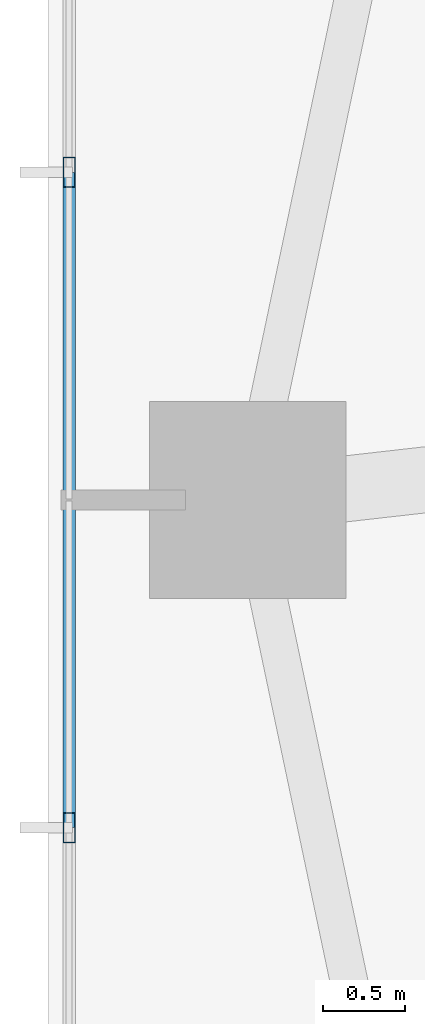
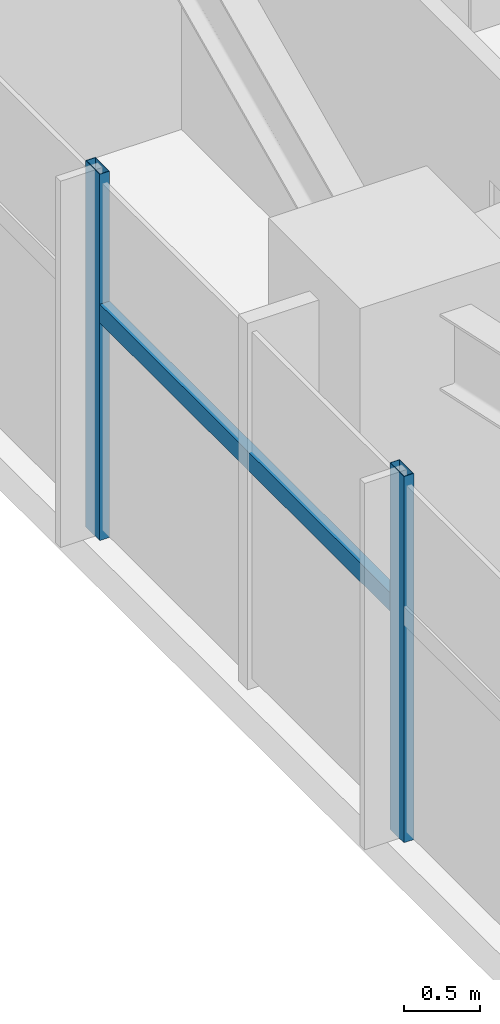
# One storey, part 4 of 25: 3 members, 1 element without a shape of its own.
"""IFC4 building model written with IfcOpenShell, lengths in metres."""

from ifc_helpers import new_model, si_unit, direction, frame, origin, origin_2d, place, context, subcontext, project, spatial, hollow_rectangle, extrude, source, transform, mapped, material, material_profile, profile_set, type_object, type_shapes, element, aggregate, save


model = new_model("IFC4")

# Units and contexts
model_context = context("Model", 3, precision=1e-05, world=origin(), true_north=direction((0.0, 1.0)))
body_context = subcontext(model_context, "Body", "Model", "MODEL_VIEW")
ifc_project = project(units=[si_unit("LENGTHUNIT", "METRE"), si_unit("AREAUNIT", "SQUARE_METRE"), si_unit("VOLUMEUNIT", "CUBIC_METRE"), si_unit("PLANEANGLEUNIT", "RADIAN"), si_unit("MASSUNIT", "GRAM", prefix="KILO")], contexts=[model_context])

# Site, building, storey
site_placement = place(None, origin())
site = spatial("IfcSite", under=ifc_project, at=site_placement, CompositionType="ELEMENT")
building_placement = place(site_placement, origin())
building = spatial("IfcBuilding", under=site, at=building_placement, Name="Astriad Promenade Condominiums", CompositionType="ELEMENT")
storey_placement = place(building_placement, frame((0.0, 0.0, 26.199951171875)))
storey = spatial("IfcBuildingStorey", under=building, at=storey_placement, Name="L06", CompositionType="ELEMENT", Elevation=26.199951171875)

# Curtain wall, members
ifc_material_1 = material(Name="Anodised aluminium Black Dark Glass Unitised", Category="aluminium")
curtain_wall_type = type_object("IfcCurtainWallType", Name="CW-B1-DARK", PredefinedType="USERDEFINED", material=ifc_material_1)
curtain_wall_placement = place(storey_placement, origin())
curtain_wall = element("IfcCurtainWall", 1, at=curtain_wall_placement, inside=storey, type_object=curtain_wall_type, Name="CW-L06-W", ObjectType="UNITISED_CURTAIN_WALL", PredefinedType="USERDEFINED")
ifc_material_2 = material(Name="Anodised aluminium 6063-T6 Black", Category="aluminium")
ifc_material_profile_1 = material_profile(ifc_material_2, hollow_rectangle(XDim=0.074951171875, YDim=0.18505859375, WallThickness=0.00439453125, at=origin_2d()), Name="ALU-MUL-75X185")
ifc_profile_set_1 = profile_set([ifc_material_profile_1], Name="Anodised aluminium 6063-T6 Black")
member_type_1 = type_object("IfcMemberType", Name="MUL-ALU-MUL-75X185", PredefinedType="MULLION", material=ifc_profile_set_1)
shared_shape_1 = source(origin(), body_context, "Body", "SweptSolid", [
    extrude(hollow_rectangle(XDim=0.074951171875, YDim=0.18505859375, WallThickness=0.00439453125, at=origin_2d()), origin(), (0.0, 0.0, 1.0), 2.93994140625),
])
type_shapes(member_type_1, [shared_shape_1])
member_1_placement = place(storey_placement, frame((5.929931640625, 13.199951171875, 0.0), z_axis=(0.0, 0.0, 1.0), x_axis=(1.0, 0.0, 0.0)))
member_1 = element("IfcMember", 2, at=member_1_placement, type_object=member_type_1, Name="CW-L06-W-MUL-02", PredefinedType="MULLION", context=body_context, shape_type="MappedRepresentation", body=[
    mapped(shared_shape_1, transform((0.0, 0.0, 0.0), scale=1.0)),
])
member_2_placement = place(storey_placement, frame((5.929931640625, 17.199951171875, 0.0), z_axis=(0.0, 0.0, 1.0), x_axis=(1.0, 0.0, 0.0)))
member_2 = element("IfcMember", 3, at=member_2_placement, type_object=member_type_1, Name="CW-L06-W-MUL-03", PredefinedType="MULLION", context=body_context, shape_type="MappedRepresentation", body=[
    mapped(shared_shape_1, transform((0.0, 0.0, 0.0), scale=1.0)),
])
ifc_material_profile_2 = material_profile(ifc_material_2, hollow_rectangle(XDim=0.074951171875, YDim=0.14990234375, WallThickness=0.004150390625, at=origin_2d()), Name="ALU-TRN-75X150")
ifc_profile_set_2 = profile_set([ifc_material_profile_2], Name="Anodised aluminium 6063-T6 Black")
member_type_2 = type_object("IfcMemberType", Name="TRN-ALU-TRN-75X150", PredefinedType="USERDEFINED", material=ifc_profile_set_2)
shared_shape_2 = source(origin(), body_context, "Body", "SweptSolid", [
    extrude(hollow_rectangle(XDim=0.074951171875, YDim=0.14990234375, WallThickness=0.004150390625, at=origin_2d()), origin(), (0.0, 0.0, 1.0), 4.0),
])
type_shapes(member_type_2, [shared_shape_2])
member_3_placement = place(storey_placement, frame((5.929931640625, 13.199951171875, 1.82275390625), z_axis=(0.0, 1.0, 0.0), x_axis=(-1.0, 0.0, 0.0)))
member_3 = element("IfcMember", 4, at=member_3_placement, type_object=member_type_2, Name="CW-L06-W-TRN-02-0", ObjectType="TRANSOM", PredefinedType="USERDEFINED", context=body_context, shape_type="MappedRepresentation", body=[
    mapped(shared_shape_2, transform((0.0, 0.0, 0.0), scale=1.0)),
])
aggregate(curtain_wall, [member_1, member_2, member_3])

save(model, "model.ifc")
